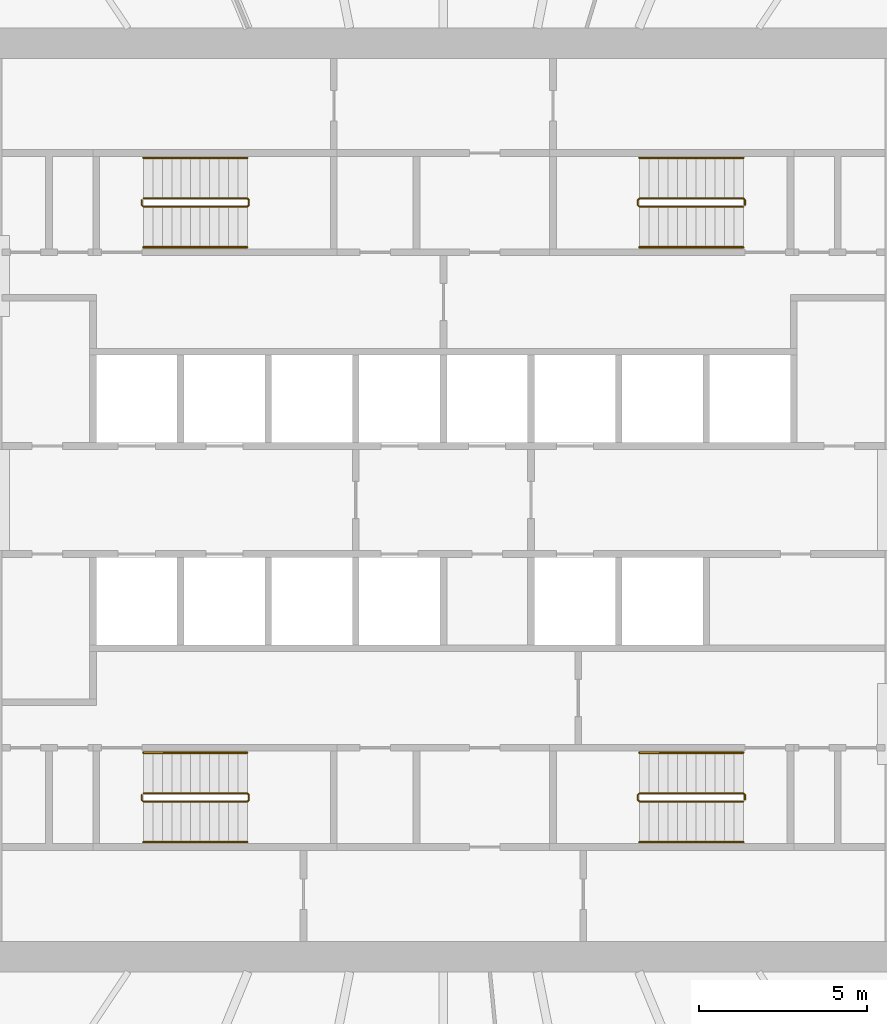
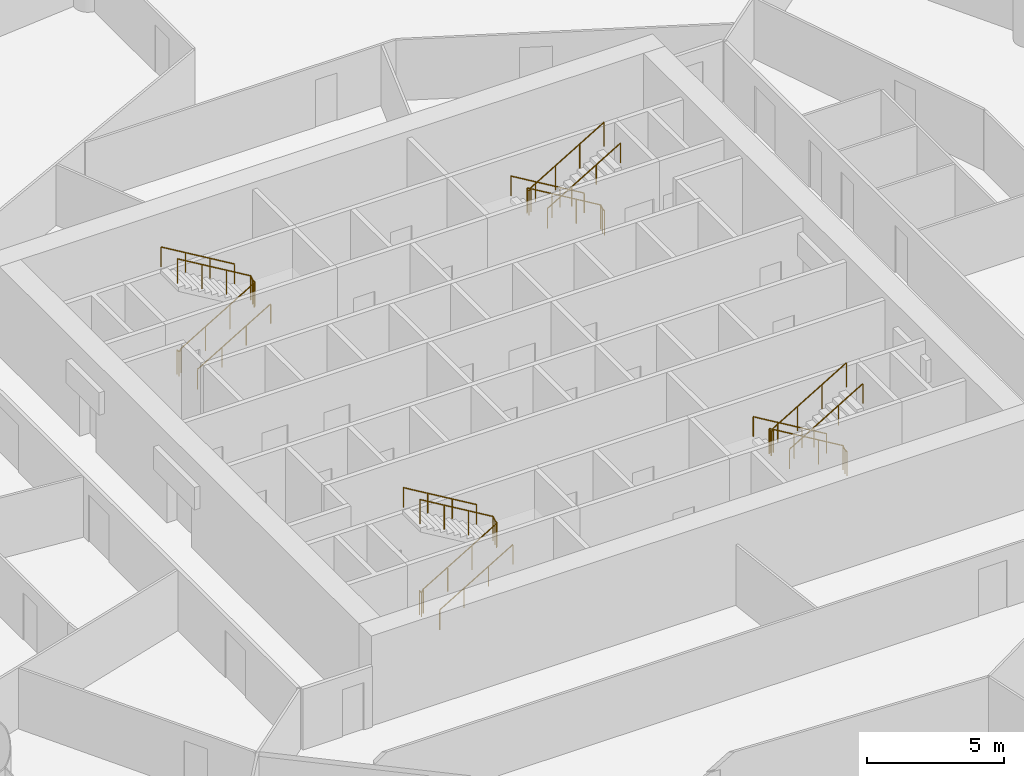
# One storey, part 9 of 9: 12 railings.
"""IFC4 building model written with IfcOpenShell, lengths in metres."""

from ifc_helpers import new_model, si_unit, direction, frame, origin, origin_2d, place, context, subcontext, project, spatial, circle, extrude, material, type_object, element, save


model = new_model("IFC4")

# Units and contexts
model_context = context("Model", 3, precision=1e-05, world=origin(), true_north=direction((0.0, 1.0)))
body_context = subcontext(model_context, "Body", "Model", "MODEL_VIEW")
ifc_project = project(units=[si_unit("LENGTHUNIT", "METRE"), si_unit("AREAUNIT", "SQUARE_METRE"), si_unit("VOLUMEUNIT", "CUBIC_METRE"), si_unit("PLANEANGLEUNIT", "RADIAN"), si_unit("MASSUNIT", "GRAM", prefix="KILO")], contexts=[model_context])

# Site, building, storey
site_placement = place(None, origin())
site = spatial("IfcSite", under=ifc_project, at=site_placement, CompositionType="ELEMENT")
building_placement = place(site_placement, origin())
building = spatial("IfcBuilding", under=site, at=building_placement, Name="Corvane Civic Tower", CompositionType="ELEMENT")
storey_placement = place(building_placement, frame((0.0, 0.0, 148.0)))
storey = spatial("IfcBuildingStorey", under=building, at=storey_placement, Name="L34", CompositionType="ELEMENT", Elevation=148.0)

# Railings
ifc_material_1 = material(Name="Steel ASTM A572 Gr 50", Category="steel")
railing_type_1 = type_object("IfcRailingType", Name="ST-GUARD-1100", PredefinedType="GUARDRAIL", material=ifc_material_1)
railing_1_placement = place(storey_placement, frame((8.949951171875, 8.75, 0.0)))
element("IfcRailing", 1, at=railing_1_placement, inside=storey, type_object=railing_type_1, Name="L34 ST1 stair guard 1", PredefinedType="GUARDRAIL", context=body_context, shape_type="SweptSolid", body=[
    extrude(circle(Radius=0.02392578125, at=origin_2d()), frame((0.0, 0.0, 1.076171875), z_axis=(0.0, 1.0, 0.0), x_axis=(-1.0, 0.0, 0.0)), (0.0, 0.0, 1.0), 0.14990234375),
    extrude(circle(Radius=0.02392578125, at=origin_2d()), frame((0.0, 0.14990234375, 1.076171875), z_axis=(-0.27628659633, 0.27628659633, 0.920506074601), x_axis=(-0.707106781187, -0.707106781187, 0.0)), (0.0, 0.0, 1.0), 0.18115234375),
    extrude(circle(Radius=0.02392578125, at=origin_2d()), frame((-0.050048828125, 0.199951171875, 1.24267578125), z_axis=(-0.859290745958, 0.0, 0.51148745235), x_axis=(0.0, -1.0, 0.0)), (0.0, 0.0, 1.0), 3.584228515625),
    extrude(circle(Radius=0.02392578125, at=origin_2d()), frame((-3.1298828125, 0.199951171875, 3.076171875), z_axis=(-0.707106781187, -0.707106781187, 0.0), x_axis=(0.707106781187, -0.707106781187, 0.0)), (0.0, 0.0, 1.0), 0.07080078125),
    extrude(circle(Radius=0.02392578125, at=origin_2d()), frame((-3.179931640625, 0.14990234375, 3.076171875), z_axis=(0.0, -1.0, 0.0), x_axis=(1.0, 0.0, 0.0)), (0.0, 0.0, 1.0), 0.14990234375),
    extrude(circle(Radius=0.02392578125, at=origin_2d()), frame((-3.179931640625, 0.0, 3.076171875), z_axis=(0.27628659633, -0.27628659633, 0.920506074601), x_axis=(0.707106781187, 0.707106781187, 0.0)), (0.0, 0.0, 1.0), 0.18115234375),
    extrude(circle(Radius=0.02392578125, at=origin_2d()), frame((-3.1298828125, -0.050048828125, 3.24267578125), z_axis=(0.859290745958, 0.0, 0.51148745235), x_axis=(0.0, 1.0, 0.0)), (0.0, 0.0, 1.0), 3.584228515625),
    extrude(circle(Radius=0.02099609375, at=origin_2d()), origin(), (0.0, 0.0, 1.0), 1.052001953125),
    extrude(circle(Radius=0.02099609375, at=origin_2d()), frame((0.0, 0.14990234375, 0.0)), (0.0, 0.0, 1.0), 1.052001953125),
    extrude(circle(Radius=0.02099609375, at=origin_2d()), frame((-0.050048828125, 0.199951171875, 0.166748046875)), (0.0, 0.0, 1.0), 1.052001953125),
    extrude(circle(Radius=0.02099609375, at=origin_2d()), frame((-1.07666015625, 0.199951171875, 0.77783203125)), (0.0, 0.0, 1.0), 1.052001953125),
    extrude(circle(Radius=0.02099609375, at=origin_2d()), frame((-2.103271484375, 0.199951171875, 1.388916015625)), (0.0, 0.0, 1.0), 1.052001953125),
    extrude(circle(Radius=0.02099609375, at=origin_2d()), frame((-3.1298828125, 0.199951171875, 2.0)), (0.0, 0.0, 1.0), 1.052001953125),
    extrude(circle(Radius=0.02099609375, at=origin_2d()), frame((-3.179931640625, 0.14990234375, 2.0)), (0.0, 0.0, 1.0), 1.052001953125),
    extrude(circle(Radius=0.02099609375, at=origin_2d()), frame((-3.179931640625, 0.0, 2.0)), (0.0, 0.0, 1.0), 1.052001953125),
    extrude(circle(Radius=0.02099609375, at=origin_2d()), frame((-3.1298828125, -0.050048828125, 2.166748046875)), (0.0, 0.0, 1.0), 1.052001953125),
    extrude(circle(Radius=0.02099609375, at=origin_2d()), frame((-2.103271484375, -0.050048828125, 2.77783203125)), (0.0, 0.0, 1.0), 1.052001953125),
    extrude(circle(Radius=0.02099609375, at=origin_2d()), frame((-1.07666015625, -0.050048828125, 3.388916015625)), (0.0, 0.0, 1.0), 1.052001953125),
    extrude(circle(Radius=0.02099609375, at=origin_2d()), frame((-0.050048828125, -0.050048828125, 4.0)), (0.0, 0.0, 1.0), 1.052001953125),
])
railing_2_placement = place(storey_placement, frame((8.949951171875, -8.89990234375, 0.0)))
element("IfcRailing", 2, at=railing_2_placement, inside=storey, type_object=railing_type_1, Name="L34 ST2 stair guard 1", PredefinedType="GUARDRAIL", context=body_context, shape_type="SweptSolid", body=[
    extrude(circle(Radius=0.02392578125, at=origin_2d()), frame((0.0, 0.0, 1.076171875), z_axis=(0.0, 1.0, 0.0), x_axis=(-1.0, 0.0, 0.0)), (0.0, 0.0, 1.0), 0.14990234375),
    extrude(circle(Radius=0.02392578125, at=origin_2d()), frame((0.0, 0.14990234375, 1.076171875), z_axis=(-0.27628659633, 0.27628659633, 0.920506074601), x_axis=(-0.707106781187, -0.707106781187, 0.0)), (0.0, 0.0, 1.0), 0.18115234375),
    extrude(circle(Radius=0.02392578125, at=origin_2d()), frame((-0.050048828125, 0.199951171875, 1.24267578125), z_axis=(-0.859290745958, 0.0, 0.51148745235), x_axis=(0.0, -1.0, 0.0)), (0.0, 0.0, 1.0), 3.584228515625),
    extrude(circle(Radius=0.02392578125, at=origin_2d()), frame((-3.1298828125, 0.199951171875, 3.076171875), z_axis=(-0.707106781187, -0.707106781187, 0.0), x_axis=(0.707106781187, -0.707106781187, 0.0)), (0.0, 0.0, 1.0), 0.07080078125),
    extrude(circle(Radius=0.02392578125, at=origin_2d()), frame((-3.179931640625, 0.14990234375, 3.076171875), z_axis=(0.0, -1.0, 0.0), x_axis=(1.0, 0.0, 0.0)), (0.0, 0.0, 1.0), 0.14990234375),
    extrude(circle(Radius=0.02392578125, at=origin_2d()), frame((-3.179931640625, 0.0, 3.076171875), z_axis=(0.27628659633, -0.27628659633, 0.920506074601), x_axis=(0.707106781187, 0.707106781187, 0.0)), (0.0, 0.0, 1.0), 0.18115234375),
    extrude(circle(Radius=0.02392578125, at=origin_2d()), frame((-3.1298828125, -0.050048828125, 3.24267578125), z_axis=(0.859290745958, 0.0, 0.51148745235), x_axis=(0.0, 1.0, 0.0)), (0.0, 0.0, 1.0), 3.584228515625),
    extrude(circle(Radius=0.02099609375, at=origin_2d()), origin(), (0.0, 0.0, 1.0), 1.052001953125),
    extrude(circle(Radius=0.02099609375, at=origin_2d()), frame((0.0, 0.14990234375, 0.0)), (0.0, 0.0, 1.0), 1.052001953125),
    extrude(circle(Radius=0.02099609375, at=origin_2d()), frame((-0.050048828125, 0.199951171875, 0.166748046875)), (0.0, 0.0, 1.0), 1.052001953125),
    extrude(circle(Radius=0.02099609375, at=origin_2d()), frame((-1.07666015625, 0.199951171875, 0.77783203125)), (0.0, 0.0, 1.0), 1.052001953125),
    extrude(circle(Radius=0.02099609375, at=origin_2d()), frame((-2.103271484375, 0.199951171875, 1.388916015625)), (0.0, 0.0, 1.0), 1.052001953125),
    extrude(circle(Radius=0.02099609375, at=origin_2d()), frame((-3.1298828125, 0.199951171875, 2.0)), (0.0, 0.0, 1.0), 1.052001953125),
    extrude(circle(Radius=0.02099609375, at=origin_2d()), frame((-3.179931640625, 0.14990234375, 2.0)), (0.0, 0.0, 1.0), 1.052001953125),
    extrude(circle(Radius=0.02099609375, at=origin_2d()), frame((-3.179931640625, 0.0, 2.0)), (0.0, 0.0, 1.0), 1.052001953125),
    extrude(circle(Radius=0.02099609375, at=origin_2d()), frame((-3.1298828125, -0.050048828125, 2.166748046875)), (0.0, 0.0, 1.0), 1.052001953125),
    extrude(circle(Radius=0.02099609375, at=origin_2d()), frame((-2.103271484375, -0.050048828125, 2.77783203125)), (0.0, 0.0, 1.0), 1.052001953125),
    extrude(circle(Radius=0.02099609375, at=origin_2d()), frame((-1.07666015625, -0.050048828125, 3.388916015625)), (0.0, 0.0, 1.0), 1.052001953125),
    extrude(circle(Radius=0.02099609375, at=origin_2d()), frame((-0.050048828125, -0.050048828125, 4.0)), (0.0, 0.0, 1.0), 1.052001953125),
])
railing_3_placement = place(storey_placement, frame((-8.949951171875, -8.75, 0.0)))
element("IfcRailing", 3, at=railing_3_placement, inside=storey, type_object=railing_type_1, Name="L34 ST3 stair guard 1", PredefinedType="GUARDRAIL", context=body_context, shape_type="SweptSolid", body=[
    extrude(circle(Radius=0.02392578125, at=origin_2d()), frame((0.0, 0.0, 1.076171875), z_axis=(0.0, -1.0, 0.0), x_axis=(1.0, 0.0, 0.0)), (0.0, 0.0, 1.0), 0.14990234375),
    extrude(circle(Radius=0.02392578125, at=origin_2d()), frame((0.0, -0.14990234375, 1.076171875), z_axis=(0.27628659633, -0.27628659633, 0.920506074601), x_axis=(0.707106781187, 0.707106781187, 0.0)), (0.0, 0.0, 1.0), 0.18115234375),
    extrude(circle(Radius=0.02392578125, at=origin_2d()), frame((0.050048828125, -0.199951171875, 1.24267578125), z_axis=(0.859290745958, 0.0, 0.51148745235), x_axis=(0.0, 1.0, 0.0)), (0.0, 0.0, 1.0), 3.584228515625),
    extrude(circle(Radius=0.02392578125, at=origin_2d()), frame((3.1298828125, -0.199951171875, 3.076171875), z_axis=(0.707106781187, 0.707106781187, 0.0), x_axis=(-0.707106781187, 0.707106781187, 0.0)), (0.0, 0.0, 1.0), 0.07080078125),
    extrude(circle(Radius=0.02392578125, at=origin_2d()), frame((3.179931640625, -0.14990234375, 3.076171875), z_axis=(0.0, 1.0, 0.0), x_axis=(-1.0, 0.0, 0.0)), (0.0, 0.0, 1.0), 0.14990234375),
    extrude(circle(Radius=0.02392578125, at=origin_2d()), frame((3.179931640625, 0.0, 3.076171875), z_axis=(-0.27628659633, 0.27628659633, 0.920506074601), x_axis=(-0.707106781187, -0.707106781187, 0.0)), (0.0, 0.0, 1.0), 0.18115234375),
    extrude(circle(Radius=0.02392578125, at=origin_2d()), frame((3.1298828125, 0.050048828125, 3.24267578125), z_axis=(-0.859290745958, 0.0, 0.51148745235), x_axis=(0.0, -1.0, 0.0)), (0.0, 0.0, 1.0), 3.584228515625),
    extrude(circle(Radius=0.02099609375, at=origin_2d()), origin(), (0.0, 0.0, 1.0), 1.052001953125),
    extrude(circle(Radius=0.02099609375, at=origin_2d()), frame((0.0, -0.14990234375, 0.0)), (0.0, 0.0, 1.0), 1.052001953125),
    extrude(circle(Radius=0.02099609375, at=origin_2d()), frame((0.050048828125, -0.199951171875, 0.166748046875)), (0.0, 0.0, 1.0), 1.052001953125),
    extrude(circle(Radius=0.02099609375, at=origin_2d()), frame((1.07666015625, -0.199951171875, 0.77783203125)), (0.0, 0.0, 1.0), 1.052001953125),
    extrude(circle(Radius=0.02099609375, at=origin_2d()), frame((2.103271484375, -0.199951171875, 1.388916015625)), (0.0, 0.0, 1.0), 1.052001953125),
    extrude(circle(Radius=0.02099609375, at=origin_2d()), frame((3.1298828125, -0.199951171875, 2.0)), (0.0, 0.0, 1.0), 1.052001953125),
    extrude(circle(Radius=0.02099609375, at=origin_2d()), frame((3.179931640625, -0.14990234375, 2.0)), (0.0, 0.0, 1.0), 1.052001953125),
    extrude(circle(Radius=0.02099609375, at=origin_2d()), frame((3.179931640625, 0.0, 2.0)), (0.0, 0.0, 1.0), 1.052001953125),
    extrude(circle(Radius=0.02099609375, at=origin_2d()), frame((3.1298828125, 0.050048828125, 2.166748046875)), (0.0, 0.0, 1.0), 1.052001953125),
    extrude(circle(Radius=0.02099609375, at=origin_2d()), frame((2.103271484375, 0.050048828125, 2.77783203125)), (0.0, 0.0, 1.0), 1.052001953125),
    extrude(circle(Radius=0.02099609375, at=origin_2d()), frame((1.07666015625, 0.050048828125, 3.388916015625)), (0.0, 0.0, 1.0), 1.052001953125),
    extrude(circle(Radius=0.02099609375, at=origin_2d()), frame((0.050048828125, 0.050048828125, 4.0)), (0.0, 0.0, 1.0), 1.052001953125),
])
railing_4_placement = place(storey_placement, frame((-8.949951171875, 8.89990234375, 0.0)))
element("IfcRailing", 4, at=railing_4_placement, inside=storey, type_object=railing_type_1, Name="L34 ST4 stair guard 1", PredefinedType="GUARDRAIL", context=body_context, shape_type="SweptSolid", body=[
    extrude(circle(Radius=0.02392578125, at=origin_2d()), frame((0.0, 0.0, 1.076171875), z_axis=(0.0, -1.0, 0.0), x_axis=(1.0, 0.0, 0.0)), (0.0, 0.0, 1.0), 0.14990234375),
    extrude(circle(Radius=0.02392578125, at=origin_2d()), frame((0.0, -0.14990234375, 1.076171875), z_axis=(0.27628659633, -0.27628659633, 0.920506074601), x_axis=(0.707106781187, 0.707106781187, 0.0)), (0.0, 0.0, 1.0), 0.18115234375),
    extrude(circle(Radius=0.02392578125, at=origin_2d()), frame((0.050048828125, -0.199951171875, 1.24267578125), z_axis=(0.859290745958, 0.0, 0.51148745235), x_axis=(0.0, 1.0, 0.0)), (0.0, 0.0, 1.0), 3.584228515625),
    extrude(circle(Radius=0.02392578125, at=origin_2d()), frame((3.1298828125, -0.199951171875, 3.076171875), z_axis=(0.707106781187, 0.707106781187, 0.0), x_axis=(-0.707106781187, 0.707106781187, 0.0)), (0.0, 0.0, 1.0), 0.07080078125),
    extrude(circle(Radius=0.02392578125, at=origin_2d()), frame((3.179931640625, -0.14990234375, 3.076171875), z_axis=(0.0, 1.0, 0.0), x_axis=(-1.0, 0.0, 0.0)), (0.0, 0.0, 1.0), 0.14990234375),
    extrude(circle(Radius=0.02392578125, at=origin_2d()), frame((3.179931640625, 0.0, 3.076171875), z_axis=(-0.27628659633, 0.27628659633, 0.920506074601), x_axis=(-0.707106781187, -0.707106781187, 0.0)), (0.0, 0.0, 1.0), 0.18115234375),
    extrude(circle(Radius=0.02392578125, at=origin_2d()), frame((3.1298828125, 0.050048828125, 3.24267578125), z_axis=(-0.859290745958, 0.0, 0.51148745235), x_axis=(0.0, -1.0, 0.0)), (0.0, 0.0, 1.0), 3.584228515625),
    extrude(circle(Radius=0.02099609375, at=origin_2d()), origin(), (0.0, 0.0, 1.0), 1.052001953125),
    extrude(circle(Radius=0.02099609375, at=origin_2d()), frame((0.0, -0.14990234375, 0.0)), (0.0, 0.0, 1.0), 1.052001953125),
    extrude(circle(Radius=0.02099609375, at=origin_2d()), frame((0.050048828125, -0.199951171875, 0.166748046875)), (0.0, 0.0, 1.0), 1.052001953125),
    extrude(circle(Radius=0.02099609375, at=origin_2d()), frame((1.07666015625, -0.199951171875, 0.77783203125)), (0.0, 0.0, 1.0), 1.052001953125),
    extrude(circle(Radius=0.02099609375, at=origin_2d()), frame((2.103271484375, -0.199951171875, 1.388916015625)), (0.0, 0.0, 1.0), 1.052001953125),
    extrude(circle(Radius=0.02099609375, at=origin_2d()), frame((3.1298828125, -0.199951171875, 2.0)), (0.0, 0.0, 1.0), 1.052001953125),
    extrude(circle(Radius=0.02099609375, at=origin_2d()), frame((3.179931640625, -0.14990234375, 2.0)), (0.0, 0.0, 1.0), 1.052001953125),
    extrude(circle(Radius=0.02099609375, at=origin_2d()), frame((3.179931640625, 0.0, 2.0)), (0.0, 0.0, 1.0), 1.052001953125),
    extrude(circle(Radius=0.02099609375, at=origin_2d()), frame((3.1298828125, 0.050048828125, 2.166748046875)), (0.0, 0.0, 1.0), 1.052001953125),
    extrude(circle(Radius=0.02099609375, at=origin_2d()), frame((2.103271484375, 0.050048828125, 2.77783203125)), (0.0, 0.0, 1.0), 1.052001953125),
    extrude(circle(Radius=0.02099609375, at=origin_2d()), frame((1.07666015625, 0.050048828125, 3.388916015625)), (0.0, 0.0, 1.0), 1.052001953125),
    extrude(circle(Radius=0.02099609375, at=origin_2d()), frame((0.050048828125, 0.050048828125, 4.0)), (0.0, 0.0, 1.0), 1.052001953125),
])
ifc_material_2 = material(Name="Steel ASTM A572 Gr 50", Category="steel")
railing_type_2 = type_object("IfcRailingType", Name="ST-HANDRAIL-900", PredefinedType="HANDRAIL", material=ifc_material_2)
railing_5_placement = place(storey_placement, frame((8.89990234375, 10.14990234375, 0.166748046875)))
element("IfcRailing", 5, at=railing_5_placement, inside=storey, type_object=railing_type_2, Name="L34 ST1 stair handrail 1", PredefinedType="HANDRAIL", context=body_context, shape_type="SweptSolid", body=[
    extrude(circle(Radius=0.02392578125, at=origin_2d()), frame((0.0, 0.0, 0.8759765625), z_axis=(-0.859290745958, 0.0, 0.51148745235), x_axis=(0.0, -1.0, 0.0)), (0.0, 0.0, 1.0), 3.584228515625),
    extrude(circle(Radius=0.02099609375, at=origin_2d()), origin(), (0.0, 0.0, 1.0), 0.851806640625),
    extrude(circle(Radius=0.02099609375, at=origin_2d()), frame((-1.026611328125, 0.0, 0.611083984375)), (0.0, 0.0, 1.0), 0.851806640625),
    extrude(circle(Radius=0.02099609375, at=origin_2d()), frame((-2.05322265625, 0.0, 1.22216796875)), (0.0, 0.0, 1.0), 0.851806640625),
    extrude(circle(Radius=0.02099609375, at=origin_2d()), frame((-3.079833984375, 0.0, 1.833251953125)), (0.0, 0.0, 1.0), 0.851806640625),
])
railing_6_placement = place(storey_placement, frame((5.820068359375, 7.5, 2.166748046875)))
element("IfcRailing", 6, at=railing_6_placement, inside=storey, type_object=railing_type_2, Name="L34 ST1 stair handrail 2", PredefinedType="HANDRAIL", context=body_context, shape_type="SweptSolid", body=[
    extrude(circle(Radius=0.02392578125, at=origin_2d()), frame((0.0, 0.0, 0.8759765625), z_axis=(0.859290745958, 0.0, 0.51148745235), x_axis=(0.0, 1.0, 0.0)), (0.0, 0.0, 1.0), 3.584228515625),
    extrude(circle(Radius=0.02099609375, at=origin_2d()), origin(), (0.0, 0.0, 1.0), 0.851806640625),
    extrude(circle(Radius=0.02099609375, at=origin_2d()), frame((1.026611328125, 0.0, 0.611083984375)), (0.0, 0.0, 1.0), 0.851806640625),
    extrude(circle(Radius=0.02099609375, at=origin_2d()), frame((2.05322265625, 0.0, 1.22216796875)), (0.0, 0.0, 1.0), 0.851806640625),
    extrude(circle(Radius=0.02099609375, at=origin_2d()), frame((3.079833984375, 0.0, 1.833251953125)), (0.0, 0.0, 1.0), 0.851806640625),
])
railing_7_placement = place(storey_placement, frame((8.89990234375, -7.5, 0.166748046875)))
element("IfcRailing", 7, at=railing_7_placement, inside=storey, type_object=railing_type_2, Name="L34 ST2 stair handrail 1", PredefinedType="HANDRAIL", context=body_context, shape_type="SweptSolid", body=[
    extrude(circle(Radius=0.02392578125, at=origin_2d()), frame((0.0, 0.0, 0.8759765625), z_axis=(-0.859290745958, 0.0, 0.51148745235), x_axis=(0.0, -1.0, 0.0)), (0.0, 0.0, 1.0), 3.584228515625),
    extrude(circle(Radius=0.02099609375, at=origin_2d()), origin(), (0.0, 0.0, 1.0), 0.851806640625),
    extrude(circle(Radius=0.02099609375, at=origin_2d()), frame((-1.026611328125, 0.0, 0.611083984375)), (0.0, 0.0, 1.0), 0.851806640625),
    extrude(circle(Radius=0.02099609375, at=origin_2d()), frame((-2.05322265625, 0.0, 1.22216796875)), (0.0, 0.0, 1.0), 0.851806640625),
    extrude(circle(Radius=0.02099609375, at=origin_2d()), frame((-3.079833984375, 0.0, 1.833251953125)), (0.0, 0.0, 1.0), 0.851806640625),
])
for number, where, name in (
    (8, (5.820068359375, -10.14990234375, 2.166748046875), "L34 ST2 stair handrail 2"),
    (9, (-8.89990234375, -10.14990234375, 0.166748046875), "L34 ST3 stair handrail 1"),
):
    element("IfcRailing", number, at=place(storey_placement, frame(where)), inside=storey, type_object=railing_type_2, Name=name, PredefinedType="HANDRAIL", context=body_context, shape_type="SweptSolid", body=[
        extrude(circle(Radius=0.02392578125, at=origin_2d()), frame((0.0, 0.0, 0.8759765625), z_axis=(0.859290745958, 0.0, 0.51148745235), x_axis=(0.0, 1.0, 0.0)), (0.0, 0.0, 1.0), 3.584228515625),
        extrude(circle(Radius=0.02099609375, at=origin_2d()), origin(), (0.0, 0.0, 1.0), 0.851806640625),
        extrude(circle(Radius=0.02099609375, at=origin_2d()), frame((1.026611328125, 0.0, 0.611083984375)), (0.0, 0.0, 1.0), 0.851806640625),
        extrude(circle(Radius=0.02099609375, at=origin_2d()), frame((2.05322265625, 0.0, 1.22216796875)), (0.0, 0.0, 1.0), 0.851806640625),
        extrude(circle(Radius=0.02099609375, at=origin_2d()), frame((3.079833984375, 0.0, 1.833251953125)), (0.0, 0.0, 1.0), 0.851806640625),
    ])
railing_8_placement = place(storey_placement, frame((-5.820068359375, -7.5, 2.166748046875)))
element("IfcRailing", 10, at=railing_8_placement, inside=storey, type_object=railing_type_2, Name="L34 ST3 stair handrail 2", PredefinedType="HANDRAIL", context=body_context, shape_type="SweptSolid", body=[
    extrude(circle(Radius=0.02392578125, at=origin_2d()), frame((0.0, 0.0, 0.8759765625), z_axis=(-0.859290745958, 0.0, 0.51148745235), x_axis=(0.0, -1.0, 0.0)), (0.0, 0.0, 1.0), 3.584228515625),
    extrude(circle(Radius=0.02099609375, at=origin_2d()), origin(), (0.0, 0.0, 1.0), 0.851806640625),
    extrude(circle(Radius=0.02099609375, at=origin_2d()), frame((-1.026611328125, 0.0, 0.611083984375)), (0.0, 0.0, 1.0), 0.851806640625),
    extrude(circle(Radius=0.02099609375, at=origin_2d()), frame((-2.05322265625, 0.0, 1.22216796875)), (0.0, 0.0, 1.0), 0.851806640625),
    extrude(circle(Radius=0.02099609375, at=origin_2d()), frame((-3.079833984375, 0.0, 1.833251953125)), (0.0, 0.0, 1.0), 0.851806640625),
])
railing_9_placement = place(storey_placement, frame((-8.89990234375, 7.5, 0.166748046875)))
element("IfcRailing", 11, at=railing_9_placement, inside=storey, type_object=railing_type_2, Name="L34 ST4 stair handrail 1", PredefinedType="HANDRAIL", context=body_context, shape_type="SweptSolid", body=[
    extrude(circle(Radius=0.02392578125, at=origin_2d()), frame((0.0, 0.0, 0.8759765625), z_axis=(0.859290745958, 0.0, 0.51148745235), x_axis=(0.0, 1.0, 0.0)), (0.0, 0.0, 1.0), 3.584228515625),
    extrude(circle(Radius=0.02099609375, at=origin_2d()), origin(), (0.0, 0.0, 1.0), 0.851806640625),
    extrude(circle(Radius=0.02099609375, at=origin_2d()), frame((1.026611328125, 0.0, 0.611083984375)), (0.0, 0.0, 1.0), 0.851806640625),
    extrude(circle(Radius=0.02099609375, at=origin_2d()), frame((2.05322265625, 0.0, 1.22216796875)), (0.0, 0.0, 1.0), 0.851806640625),
    extrude(circle(Radius=0.02099609375, at=origin_2d()), frame((3.079833984375, 0.0, 1.833251953125)), (0.0, 0.0, 1.0), 0.851806640625),
])
railing_10_placement = place(storey_placement, frame((-5.820068359375, 10.14990234375, 2.166748046875)))
element("IfcRailing", 12, at=railing_10_placement, inside=storey, type_object=railing_type_2, Name="L34 ST4 stair handrail 2", PredefinedType="HANDRAIL", context=body_context, shape_type="SweptSolid", body=[
    extrude(circle(Radius=0.02392578125, at=origin_2d()), frame((0.0, 0.0, 0.8759765625), z_axis=(-0.859290745958, 0.0, 0.51148745235), x_axis=(0.0, -1.0, 0.0)), (0.0, 0.0, 1.0), 3.584228515625),
    extrude(circle(Radius=0.02099609375, at=origin_2d()), origin(), (0.0, 0.0, 1.0), 0.851806640625),
    extrude(circle(Radius=0.02099609375, at=origin_2d()), frame((-1.026611328125, 0.0, 0.611083984375)), (0.0, 0.0, 1.0), 0.851806640625),
    extrude(circle(Radius=0.02099609375, at=origin_2d()), frame((-2.05322265625, 0.0, 1.22216796875)), (0.0, 0.0, 1.0), 0.851806640625),
    extrude(circle(Radius=0.02099609375, at=origin_2d()), frame((-3.079833984375, 0.0, 1.833251953125)), (0.0, 0.0, 1.0), 0.851806640625),
])

save(model, "model.ifc")
